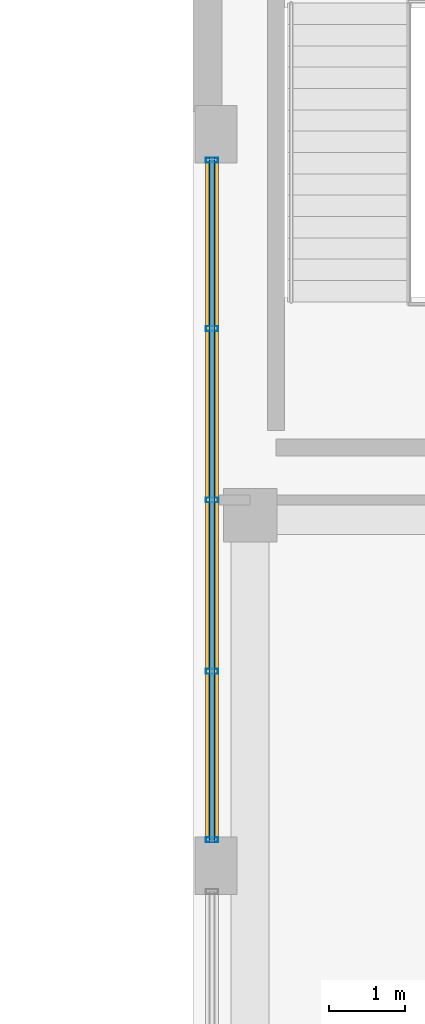
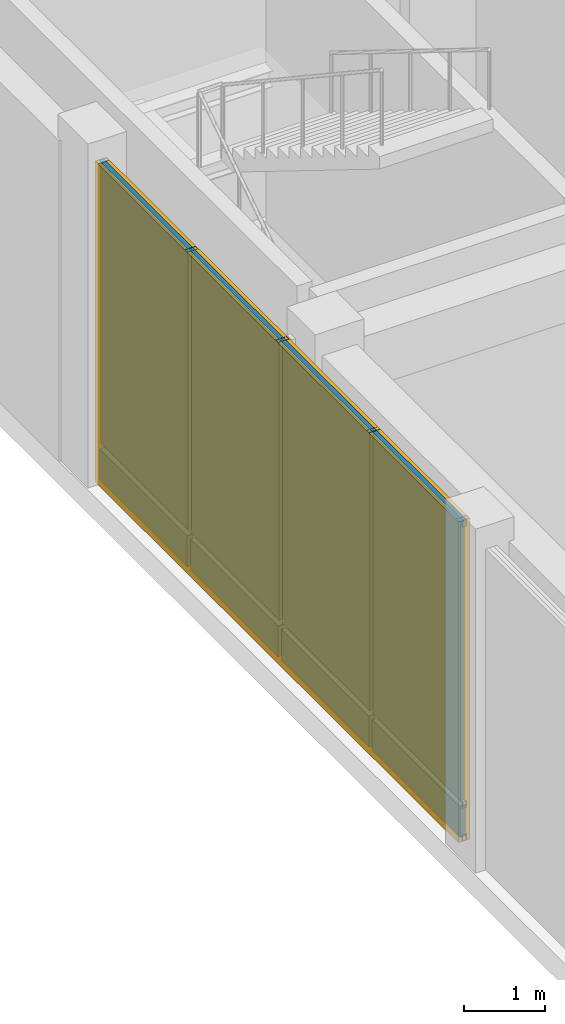
# One storey, part 17 of 22: 8 members, 8 plates, 1 curtain wall.
"""IFC4 building model written with IfcOpenShell, lengths in metres."""

from ifc_helpers import new_model, si_unit, direction, frame, frame_2d, origin, origin_2d, place, context, subcontext, project, spatial, rectangle, hollow_rectangle, extrude, material, layer, layer_set, material_profile, profile_set, type_object, element, aggregate, save


model = new_model("IFC4")

# Units and contexts
model_context = context("Model", 3, precision=1e-05, world=origin(), true_north=direction((0.0, 1.0)))
body_context = subcontext(model_context, "Body", "Model", "MODEL_VIEW")
ifc_project = project(units=[si_unit("LENGTHUNIT", "METRE"), si_unit("AREAUNIT", "SQUARE_METRE"), si_unit("VOLUMEUNIT", "CUBIC_METRE"), si_unit("PLANEANGLEUNIT", "RADIAN"), si_unit("MASSUNIT", "GRAM", prefix="KILO")], contexts=[model_context])

# Member
ifc_material_1 = material(Name="Anodized Aluminium 6063-T6", Category="aluminium")
ifc_material_profile_1 = material_profile(ifc_material_1, hollow_rectangle(XDim=0.06494140625, YDim=0.159912109375, WallThickness=0.00390625, at=origin_2d()), Name="Anodized Aluminium 6063-T6")
ifc_profile_set_1 = profile_set([ifc_material_profile_1], Name="Anodized Aluminium 6063-T6")
member_type_1 = type_object("IfcMemberType", Name="Curtain Wall Mullion 160", PredefinedType="MULLION", material=ifc_profile_set_1)
site_placement = place(None, origin())
building_placement = place(site_placement, origin())
storey_placement = place(building_placement, frame((0.0, 0.0, 5.199951171875)))
member_1_placement = place(storey_placement, frame((85.449951171875, 43.5400390625, 0.0), z_axis=(0.0, 0.0, 1.0), x_axis=(0.0, 1.0, 0.0)))
member_1 = element("IfcMember", 1, at=member_1_placement, type_object=member_type_1, Name="Curtain Wall Mullion CW-L01-LCOL-5-M01", PredefinedType="MULLION", context=body_context, shape_type="SweptSolid", body=[
    extrude(hollow_rectangle(XDim=0.06494140625, YDim=0.159912109375, WallThickness=0.00390625, at=origin_2d()), origin(), (0.0, 0.0, 1.0), 4.85009765625),
])

member_2_placement = place(storey_placement, frame((85.449951171875, 45.75, 0.0), z_axis=(0.0, 0.0, 1.0), x_axis=(0.0, 1.0, 0.0)))
member_2 = element("IfcMember", 2, at=member_2_placement, type_object=member_type_1, Name="Curtain Wall Mullion CW-L01-LCOL-5-M02", PredefinedType="MULLION", context=body_context, shape_type="SweptSolid", body=[
    extrude(hollow_rectangle(XDim=0.06494140625, YDim=0.159912109375, WallThickness=0.00390625, at=origin_2d()), origin(), (0.0, 0.0, 1.0), 4.85009765625),
])

member_3_placement = place(storey_placement, frame((85.449951171875, 48.0, 0.0), z_axis=(0.0, 0.0, 1.0), x_axis=(0.0, 1.0, 0.0)))
member_3 = element("IfcMember", 3, at=member_3_placement, type_object=member_type_1, Name="Curtain Wall Mullion CW-L01-LCOL-5-M03", PredefinedType="MULLION", context=body_context, shape_type="SweptSolid", body=[
    extrude(hollow_rectangle(XDim=0.06494140625, YDim=0.159912109375, WallThickness=0.00390625, at=origin_2d()), origin(), (0.0, 0.0, 1.0), 4.85009765625),
])

member_4_placement = place(storey_placement, frame((85.449951171875, 50.25, 0.0), z_axis=(0.0, 0.0, 1.0), x_axis=(0.0, 1.0, 0.0)))
member_4 = element("IfcMember", 4, at=member_4_placement, type_object=member_type_1, Name="Curtain Wall Mullion CW-L01-LCOL-5-M04", PredefinedType="MULLION", context=body_context, shape_type="SweptSolid", body=[
    extrude(hollow_rectangle(XDim=0.06494140625, YDim=0.159912109375, WallThickness=0.00390625, at=origin_2d()), origin(), (0.0, 0.0, 1.0), 4.85009765625),
])

member_5_placement = place(storey_placement, frame((85.449951171875, 52.4599609375, 0.0), z_axis=(0.0, 0.0, 1.0), x_axis=(0.0, 1.0, 0.0)))
member_5 = element("IfcMember", 5, at=member_5_placement, type_object=member_type_1, Name="Curtain Wall Mullion CW-L01-LCOL-5-M05", PredefinedType="MULLION", context=body_context, shape_type="SweptSolid", body=[
    extrude(hollow_rectangle(XDim=0.06494140625, YDim=0.159912109375, WallThickness=0.00390625, at=origin_2d()), origin(), (0.0, 0.0, 1.0), 4.85009765625),
])

ifc_material_profile_2 = material_profile(ifc_material_1, hollow_rectangle(XDim=0.06005859375, YDim=0.10009765625, WallThickness=0.0029296875, at=origin_2d()), Name="Anodized Aluminium 6063-T6")
ifc_profile_set_2 = profile_set([ifc_material_profile_2], Name="Anodized Aluminium 6063-T6")
member_type_2 = type_object("IfcMemberType", Name="Curtain Wall Transom 100", PredefinedType="USERDEFINED", material=ifc_profile_set_2)
member_6_placement = place(storey_placement, frame((85.449951171875, 43.5, 0.050048828125), z_axis=(0.0, 1.0, 0.0), x_axis=(-1.0, 0.0, 0.0)))
member_6 = element("IfcMember", 6, at=member_6_placement, type_object=member_type_2, Name="Curtain Wall Transom CW-L01-LCOL-5-T01", ObjectType="TRANSOM", PredefinedType="USERDEFINED", context=body_context, shape_type="SweptSolid", body=[
    extrude(hollow_rectangle(XDim=0.06005859375, YDim=0.10009765625, WallThickness=0.0029296875, at=origin_2d()), origin(), (0.0, 0.0, 1.0), 9.0),
])

member_7_placement = place(storey_placement, frame((85.449951171875, 43.5, 0.550048828125), z_axis=(0.0, 1.0, 0.0), x_axis=(-1.0, 0.0, 0.0)))
member_7 = element("IfcMember", 7, at=member_7_placement, type_object=member_type_2, Name="Curtain Wall Transom CW-L01-LCOL-5-T02", ObjectType="TRANSOM", PredefinedType="USERDEFINED", context=body_context, shape_type="SweptSolid", body=[
    extrude(hollow_rectangle(XDim=0.06005859375, YDim=0.10009765625, WallThickness=0.0029296875, at=origin_2d()), origin(), (0.0, 0.0, 1.0), 9.0),
])

member_8_placement = place(storey_placement, frame((85.449951171875, 43.5, 4.800048828125), z_axis=(0.0, 1.0, 0.0), x_axis=(-1.0, 0.0, 0.0)))
member_8 = element("IfcMember", 8, at=member_8_placement, type_object=member_type_2, Name="Curtain Wall Transom CW-L01-LCOL-5-T03", ObjectType="TRANSOM", PredefinedType="USERDEFINED", context=body_context, shape_type="SweptSolid", body=[
    extrude(hollow_rectangle(XDim=0.06005859375, YDim=0.10009765625, WallThickness=0.0029296875, at=origin_2d()), origin(), (0.0, 0.0, 1.0), 9.0),
])

# Plate
ifc_material_2 = material(Name="Bird-Friendly Fritted Triple Glazing", Category="glass")
ifc_layer_1 = layer(ifc_material_2, 0.052001953125, Name="Bird-Friendly Fritted Triple Glazing")
ifc_layer_set_1 = layer_set([ifc_layer_1], Name="Bird-Friendly Fritted Triple Glazing")
plate_type_1 = type_object("IfcPlateType", Name="Plate CWGlazing 52", PredefinedType="CURTAIN_PANEL", material=ifc_layer_set_1)
plate_1_placement = place(storey_placement, frame((85.449951171875, 44.625, 0.58984375), z_axis=(0.0, 0.0, 1.0), x_axis=(0.0, 1.0, 0.0)))
plate_1 = element("IfcPlate", 9, at=plate_1_placement, type_object=plate_type_1, Name="Vision Glazing Panel CW-L01-LCOL-5-GL01", PredefinedType="CURTAIN_PANEL", context=body_context, shape_type="SweptSolid", body=[
    extrude(rectangle(XDim=2.169921875, YDim=0.052001953125, at=origin_2d()), origin(), (0.0, 0.0, 1.0), 4.219970703125),
])

plate_2_placement = place(storey_placement, frame((85.449951171875, 46.875, 0.58984375), z_axis=(0.0, 0.0, 1.0), x_axis=(0.0, 1.0, 0.0)))
plate_2 = element("IfcPlate", 10, at=plate_2_placement, type_object=plate_type_1, Name="Vision Glazing Panel CW-L01-LCOL-5-GL02", PredefinedType="CURTAIN_PANEL", context=body_context, shape_type="SweptSolid", body=[
    extrude(rectangle(XDim=2.169921875, YDim=0.052001953125, at=origin_2d()), origin(), (0.0, 0.0, 1.0), 4.219970703125),
])

plate_3_placement = place(storey_placement, frame((85.449951171875, 49.125, 0.58984375), z_axis=(0.0, 0.0, 1.0), x_axis=(0.0, 1.0, 0.0)))
plate_3 = element("IfcPlate", 11, at=plate_3_placement, type_object=plate_type_1, Name="Vision Glazing Panel CW-L01-LCOL-5-GL03", PredefinedType="CURTAIN_PANEL", context=body_context, shape_type="SweptSolid", body=[
    extrude(rectangle(XDim=2.169921875, YDim=0.052001953125, at=origin_2d()), origin(), (0.0, 0.0, 1.0), 4.219970703125),
])

plate_4_placement = place(storey_placement, frame((85.449951171875, 51.375, 0.58984375), z_axis=(0.0, 0.0, 1.0), x_axis=(0.0, 1.0, 0.0)))
plate_4 = element("IfcPlate", 12, at=plate_4_placement, type_object=plate_type_1, Name="Vision Glazing Panel CW-L01-LCOL-5-GL04", PredefinedType="CURTAIN_PANEL", context=body_context, shape_type="SweptSolid", body=[
    extrude(rectangle(XDim=2.169921875, YDim=0.052001953125, at=origin_2d()), origin(), (0.0, 0.0, 1.0), 4.219970703125),
])

ifc_material_3 = material(Name="Insulated Aluminium Spandrel Panel", Category="aluminium")
ifc_layer_2 = layer(ifc_material_3, 0.080078125, Name="Insulated Aluminium Spandrel Panel")
ifc_layer_set_2 = layer_set([ifc_layer_2], Name="Insulated Aluminium Spandrel Panel")
plate_type_2 = type_object("IfcPlateType", Name="Plate CWSpandrel 80", PredefinedType="SHEET", material=ifc_layer_set_2)
plate_5_placement = place(storey_placement, frame((85.449951171875, 44.625, 0.0400390625), z_axis=(0.0, 0.0, 1.0), x_axis=(0.0, 1.0, 0.0)))
plate_5 = element("IfcPlate", 13, at=plate_5_placement, type_object=plate_type_2, Name="Spandrel Panel CW-L01-LCOL-5-SP01", PredefinedType="SHEET", context=body_context, shape_type="SweptSolid", body=[
    extrude(rectangle(XDim=2.169921875, YDim=0.080078125, at=origin_2d()), origin(), (0.0, 0.0, 1.0), 0.469970703125),
])

plate_6_placement = place(storey_placement, frame((85.449951171875, 46.875, 0.0400390625), z_axis=(0.0, 0.0, 1.0), x_axis=(0.0, 1.0, 0.0)))
plate_6 = element("IfcPlate", 14, at=plate_6_placement, type_object=plate_type_2, Name="Spandrel Panel CW-L01-LCOL-5-SP02", PredefinedType="SHEET", context=body_context, shape_type="SweptSolid", body=[
    extrude(rectangle(XDim=2.169921875, YDim=0.080078125, at=origin_2d()), origin(), (0.0, 0.0, 1.0), 0.469970703125),
])

plate_7_placement = place(storey_placement, frame((85.449951171875, 49.125, 0.0400390625), z_axis=(0.0, 0.0, 1.0), x_axis=(0.0, 1.0, 0.0)))
plate_7 = element("IfcPlate", 15, at=plate_7_placement, type_object=plate_type_2, Name="Spandrel Panel CW-L01-LCOL-5-SP03", PredefinedType="SHEET", context=body_context, shape_type="SweptSolid", body=[
    extrude(rectangle(XDim=2.169921875, YDim=0.080078125, at=origin_2d()), origin(), (0.0, 0.0, 1.0), 0.469970703125),
])

plate_8_placement = place(storey_placement, frame((85.449951171875, 51.375, 0.0400390625), z_axis=(0.0, 0.0, 1.0), x_axis=(0.0, 1.0, 0.0)))
plate_8 = element("IfcPlate", 16, at=plate_8_placement, type_object=plate_type_2, Name="Spandrel Panel CW-L01-LCOL-5-SP04", PredefinedType="SHEET", context=body_context, shape_type="SweptSolid", body=[
    extrude(rectangle(XDim=2.169921875, YDim=0.080078125, at=origin_2d()), origin(), (0.0, 0.0, 1.0), 0.469970703125),
])

# Site, building, storey
site = spatial("IfcSite", under=ifc_project, at=site_placement, CompositionType="ELEMENT")
building = spatial("IfcBuilding", under=site, at=building_placement, Name="Norrvale University Quadrangle", CompositionType="ELEMENT")
storey = spatial("IfcBuildingStorey", under=building, at=storey_placement, Name="L01", CompositionType="ELEMENT", Elevation=5.199951171875)

# Curtain wall
ifc_material_4 = material(Name="Anodized Aluminium and Triple Glazing", Category="glass")
curtain_wall_type = type_object("IfcCurtainWallType", Name="Curtain Wall System 5 Lib Colonnade", PredefinedType="NOTDEFINED", material=ifc_material_4)
curtain_wall_placement = place(storey_placement, frame((85.449951171875, 43.5, 0.0), z_axis=(0.0, 0.0, 1.0), x_axis=(0.0, 1.0, 0.0)))
curtain_wall = element("IfcCurtainWall", 17, at=curtain_wall_placement, inside=storey, type_object=curtain_wall_type, Name="Curtain Wall CW System 5 Lib Colonnade CW-L01-LCOL-5", PredefinedType="NOTDEFINED", context=body_context, shape_type="SweptSolid", body=[
    extrude(rectangle(XDim=9.0, YDim=0.1650390625, at=frame_2d((4.5, 0.0))), origin(), (0.0, 0.0, 1.0), 4.85009765625),
])

aggregate(curtain_wall, [member_1, member_2, member_3, member_4, member_5, member_6, member_7, member_8, plate_5, plate_1, plate_6, plate_2, plate_7, plate_3, plate_8, plate_4])

save(model, "model.ifc")
